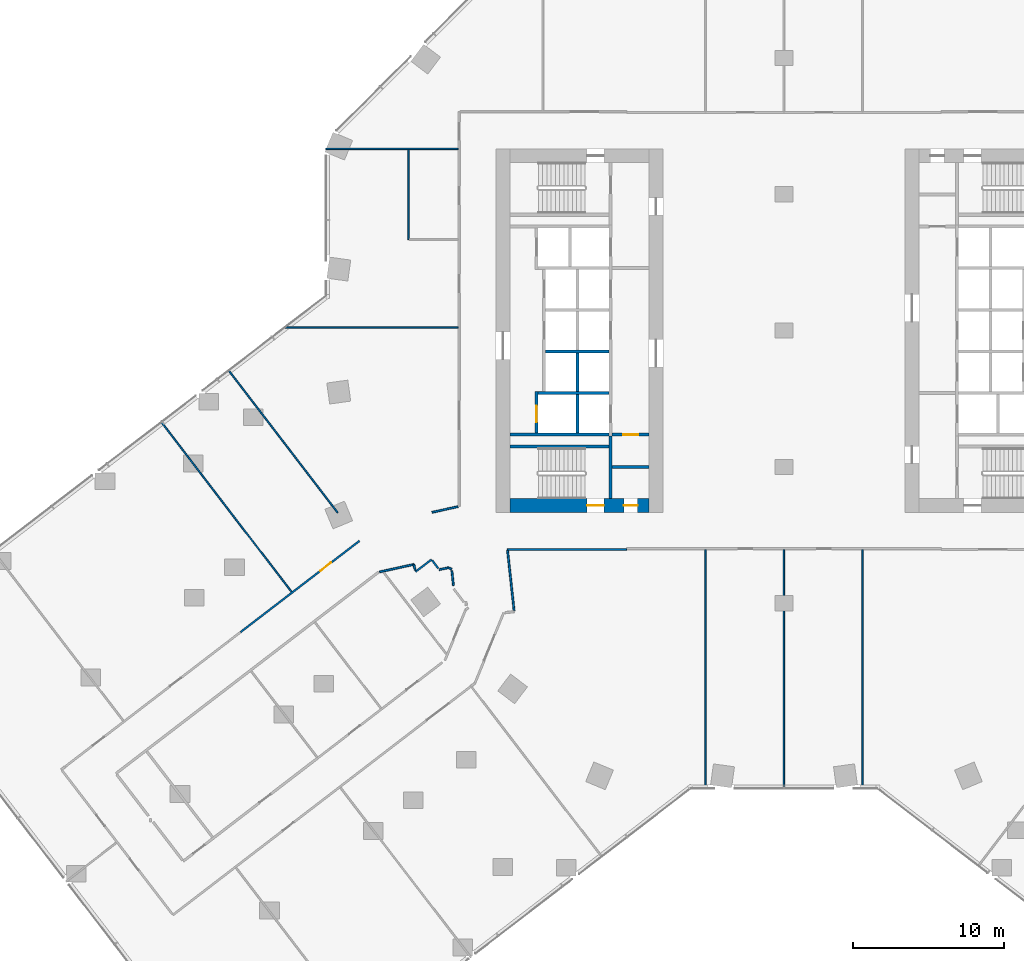
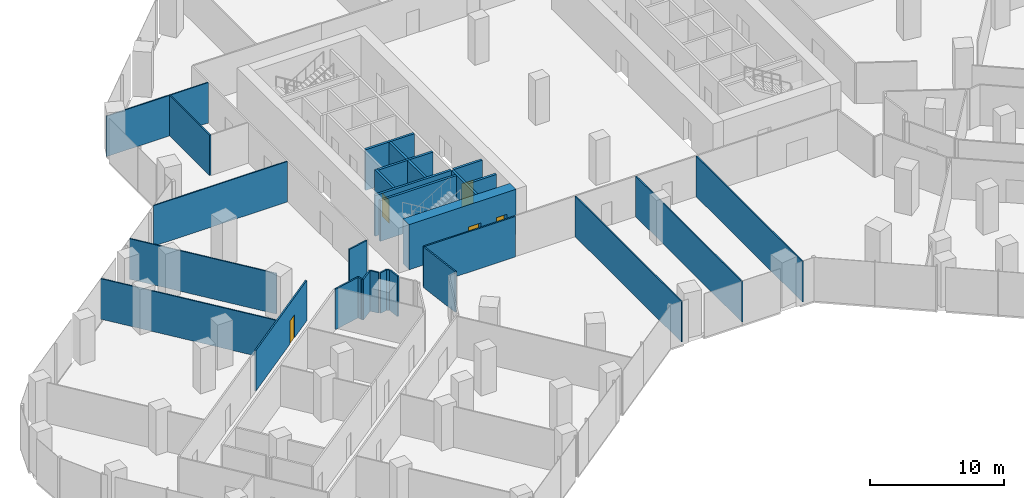
# One storey, part 22 of 29: 30 walls, 5 doors, 5 openings.
"""IFC4 building model written with IfcOpenShell, lengths in metres."""

from ifc_helpers import new_model, si_unit, direction, frame, frame_2d, origin, place, context, subcontext, project, spatial, rectangle, extrude, material, layer, layer_set, type_object, element, fill, save


model = new_model("IFC4")

# Units and contexts
model_context = context("Model", 3, precision=1e-05, world=origin(), true_north=direction((0.0, 1.0)))
body_context = subcontext(model_context, "Body", "Model", "MODEL_VIEW")
ifc_project = project(units=[si_unit("LENGTHUNIT", "METRE"), si_unit("AREAUNIT", "SQUARE_METRE"), si_unit("VOLUMEUNIT", "CUBIC_METRE"), si_unit("PLANEANGLEUNIT", "RADIAN"), si_unit("MASSUNIT", "GRAM", prefix="KILO")], contexts=[model_context])

# Site, building, storey
site_placement = place(None, origin())
site = spatial("IfcSite", under=ifc_project, at=site_placement, CompositionType="ELEMENT")
building_placement = place(site_placement, origin())
building = spatial("IfcBuilding", under=site, at=building_placement, Name="Orlundy Tower", CompositionType="ELEMENT")
storey_placement = place(building_placement, frame((0.0, 0.0, 25.10009765625)))
storey = spatial("IfcBuildingStorey", under=building, at=storey_placement, Name="L04", CompositionType="ELEMENT", Elevation=25.10009765625)

# Wall, openings, doors
ifc_material_1 = material(Name="Concrete C80/95", Category="concrete")
ifc_layer_1 = layer(ifc_material_1, 0.89990234375)
ifc_layer_set_1 = layer_set([ifc_layer_1], Name="CORE WALL 900 C80/95")
wall_type_1 = type_object("IfcWallType", Name="CORE WALL 900 C80/95", PredefinedType="SHEAR", material=ifc_layer_set_1)
wall_1_placement = place(storey_placement, frame((-18.10009765625, -11.550048828125, 0.0), z_axis=(0.0, 0.0, 1.0), x_axis=(1.0, 0.0, 0.0)))
wall_1 = element("IfcWall", 1, at=wall_1_placement, inside=storey, type_object=wall_type_1, Name="Core wall W-S L04", PredefinedType="SHEAR", context=body_context, shape_type="SweptSolid", body=[
    extrude(rectangle(XDim=9.2001953125, YDim=0.89990234375, at=frame_2d((4.60009765625, 0.0))), origin(), (0.0, 0.0, 1.0), 4.099853515625),
])
opening_1_placement = place(wall_1_placement, frame((5.10009765625, 0.0, 0.0)))
opening_1 = element("IfcOpeningElement", 2, at=opening_1_placement, cuts=wall_1, Name="Opening 05013", PredefinedType="OPENING", context=body_context, shape_type="SweptSolid", body=[
    extrude(rectangle(XDim=1.10009765625, YDim=2.10009765625, at=frame_2d((0.550048828125, 1.050048828125))), frame((0.0, 0.4599609375, 0.0), z_axis=(0.0, -1.0, 0.0), x_axis=(1.0, 0.0, 0.0)), (0.0, 0.0, 1.0), 0.919921875),
])
opening_2_placement = place(wall_1_placement, frame((7.530029296875, 0.0, 0.0)))
opening_2 = element("IfcOpeningElement", 3, at=opening_2_placement, cuts=wall_1, Name="Opening 05015", PredefinedType="OPENING", context=body_context, shape_type="SweptSolid", body=[
    extrude(rectangle(XDim=0.89990234375, YDim=2.10009765625, at=frame_2d((0.449951171875, 1.050048828125))), frame((0.0, 0.4599609375, 0.0), z_axis=(0.0, -1.0, 0.0), x_axis=(1.0, 0.0, 0.0)), (0.0, 0.0, 1.0), 0.919921875),
])
ifc_material_2 = material(Name="Timber door set", Category="wood")
door_type_1 = type_object("IfcDoorType", Name="Room Door 900x2100", OperationType="SINGLE_SWING_LEFT", PredefinedType="DOOR", material=ifc_material_2)
door_1_placement = place(opening_2_placement, origin())
door_1 = element("IfcDoor", 4, at=door_1_placement, inside=storey, type_object=door_type_1, Name="Store door 05015", OperationType="SINGLE_SWING_RIGHT", OverallHeight=2.10009765625, OverallWidth=0.89990234375, PredefinedType="DOOR", context=body_context, shape_type="SweptSolid", body=[
    extrude(rectangle(XDim=0.89990234375, YDim=2.10009765625, at=frame_2d((0.449951171875, 1.050048828125))), frame((0.0, 0.02490234375, 0.0), z_axis=(0.0, -1.0, 0.0), x_axis=(1.0, 0.0, 0.0)), (0.0, 0.0, 1.0), 0.050048828125),
])
fill(opening_2, door_1)
ifc_material_3 = material(Name="Steel door set", Category="steel")
door_type_2 = type_object("IfcDoorType", Name="Stair Door 1100x2100", OperationType="SINGLE_SWING_LEFT", PredefinedType="DOOR", material=ifc_material_3)
door_2_placement = place(opening_1_placement, origin())
door_2 = element("IfcDoor", 5, at=door_2_placement, inside=storey, type_object=door_type_2, Name="Stair door 05013", OperationType="SINGLE_SWING_RIGHT", OverallHeight=2.10009765625, OverallWidth=1.10009765625, PredefinedType="DOOR", context=body_context, shape_type="SweptSolid", body=[
    extrude(rectangle(XDim=1.10009765625, YDim=2.10009765625, at=frame_2d((0.550048828125, 1.050048828125))), frame((0.0, 0.02490234375, 0.0), z_axis=(0.0, -1.0, 0.0), x_axis=(1.0, 0.0, 0.0)), (0.0, 0.0, 1.0), 0.050048828125),
])
fill(opening_1, door_2)

# Walls
ifc_material_4 = material(Name="Gypsum board partition")
ifc_layer_2 = layer(ifc_material_4, 0.10009765625)
ifc_layer_set_2 = layer_set([ifc_layer_2], Name="Floor partition 100")
wall_type_2 = type_object("IfcWallType", Name="Floor partition 100", PredefinedType="PARTITIONING", material=ifc_layer_set_2)
wall_2_placement = place(storey_placement, frame((-41.1259765625, -6.032958984375, 0.0), z_axis=(0.0, 0.0, 1.0), x_axis=(0.608775561638, -0.793342495743, 0.0)))
element("IfcWall", 6, at=wall_2_placement, inside=storey, type_object=wall_type_2, Name="wall-int-L04-020", PredefinedType="PARTITIONING", context=body_context, shape_type="SweptSolid", body=[
    extrude(rectangle(XDim=14.136474609375, YDim=0.10009765625, at=frame_2d((7.068359375, 0.0))), origin(), (0.0, 0.0, 1.0), 3.679931640625),
])
wall_3_placement = place(storey_placement, frame((-36.677978515625, -2.6201171875, 0.0), z_axis=(0.0, 0.0, 1.0), x_axis=(0.608767789656, -0.793348459555, 0.0)))
element("IfcWall", 7, at=wall_3_placement, inside=storey, type_object=wall_type_2, Name="wall-int-L04-022", PredefinedType="PARTITIONING", context=body_context, shape_type="SweptSolid", body=[
    extrude(rectangle(XDim=11.842041015625, YDim=0.10009765625, at=frame_2d((5.9208984375, 0.0))), origin(), (0.0, 0.0, 1.0), 3.679931640625),
])
wall_4_placement = place(storey_placement, frame((-33.009033203125, 0.196044921875, 0.0), z_axis=(0.0, 0.0, 1.0), x_axis=(1.0, 0.0, 0.0)))
element("IfcWall", 8, at=wall_4_placement, inside=storey, type_object=wall_type_2, Name="wall-int-L04-042", PredefinedType="PARTITIONING", context=body_context, shape_type="SweptSolid", body=[
    extrude(rectangle(XDim=11.4970703125, YDim=0.10009765625, at=frame_2d((5.74853515625, 0.0))), origin(), (0.0, 0.0, 1.0), 3.679931640625),
])
wall_5_placement = place(storey_placement, frame((-30.25, 12.0, 0.0), z_axis=(0.0, 0.0, 1.0), x_axis=(1.0, 0.0, 0.0)))
element("IfcWall", 9, at=wall_5_placement, inside=storey, type_object=wall_type_2, Name="wall-int-L04-045", PredefinedType="PARTITIONING", context=body_context, shape_type="SweptSolid", body=[
    extrude(rectangle(XDim=8.738037109375, YDim=0.10009765625, at=frame_2d((4.369140625, 0.0))), origin(), (0.0, 0.0, 1.0), 3.679931640625),
])
for number, where, z_axis, x_axis, name in (
    (10, (5.196044921875, -30.25, 0.0), (0.0, 0.0, 1.0), (0.0, 1.0, 0.0), "wall-int-L04-089"),
    (11, (0.0, -30.25, 0.0), (0.0, 0.0, 1.0), (0.0, 1.0, 0.0), "wall-int-L04-091"),
    (12, (-5.195068359375, -30.25, 0.0), (0.0, 0.0, 1.0), (0.0, 1.0, 0.0), "wall-int-L04-093"),
):
    element("IfcWall", number, at=place(storey_placement, frame(where, z_axis=z_axis, x_axis=x_axis)), inside=storey, type_object=wall_type_2, Name=name, PredefinedType="PARTITIONING", context=body_context, shape_type="SweptSolid", body=[
        extrude(rectangle(XDim=15.787109375, YDim=0.10009765625, at=frame_2d((7.8935546875, 0.0))), origin(), (0.0, 0.0, 1.0), 3.679931640625),
    ])
wall_6_placement = place(storey_placement, frame((-24.781982421875, 6.0009765625, 0.0), z_axis=(0.0, 0.0, 1.0), x_axis=(0.0, 1.0, 0.0)))
element("IfcWall", 13, at=wall_6_placement, inside=storey, type_object=wall_type_2, Name="wall-int-L04-097", PredefinedType="PARTITIONING", context=body_context, shape_type="SweptSolid", body=[
    extrude(rectangle(XDim=5.948974609375, YDim=0.10009765625, at=frame_2d((2.974609375, 0.0))), origin(), (0.0, 0.0, 1.0), 3.679931640625),
])
ifc_material_5 = material(Name="Gypsum board partition, double layer")
ifc_layer_3 = layer(ifc_material_5, 0.125)
ifc_layer_set_3 = layer_set([ifc_layer_3], Name="Floor partition 125")
wall_type_3 = type_object("IfcWallType", Name="Floor partition 125", PredefinedType="PARTITIONING", material=ifc_layer_set_3)
wall_7_placement = place(storey_placement, frame((-21.930908203125, -15.864013671875, 0.0), z_axis=(0.0, 0.0, 1.0), x_axis=(0.10837572028, -0.99411000561, 0.0)))
element("IfcWall", 14, at=wall_7_placement, inside=storey, type_object=wall_type_3, Name="wall-int-L04-002", PredefinedType="PARTITIONING", context=body_context, shape_type="SweptSolid", body=[
    extrude(rectangle(XDim=0.977783203125, YDim=0.125, at=frame_2d((0.48876953125, 0.0))), origin(), (0.0, 0.0, 1.0), 3.679931640625),
])
wall_8_placement = place(storey_placement, frame((-18.2548828125, -14.512939453125, 0.0), z_axis=(0.0, 0.0, 1.0), x_axis=(0.108304050005, -0.994117816334, 0.0)))
element("IfcWall", 15, at=wall_8_placement, inside=storey, type_object=wall_type_3, Name="wall-int-L04-003", PredefinedType="PARTITIONING", context=body_context, shape_type="SweptSolid", body=[
    extrude(rectangle(XDim=4.005859375, YDim=0.125, at=frame_2d((2.0029296875, 0.0))), origin(), (0.0, 0.0, 1.0), 3.679931640625),
])
wall_9_placement = place(storey_placement, frame((-24.43798828125, -15.43701171875, 0.0), z_axis=(0.0, 0.0, 1.0), x_axis=(0.212096867325, -0.977248647413, 0.0)))
element("IfcWall", 16, at=wall_9_placement, inside=storey, type_object=wall_type_3, Name="wall-int-L04-006", PredefinedType="PARTITIONING", context=body_context, shape_type="SweptSolid", body=[
    extrude(rectangle(XDim=0.39599609375, YDim=0.125, at=frame_2d((0.197998046875, 0.0))), origin(), (0.0, 0.0, 1.0), 3.679931640625),
])
wall_10_placement = place(storey_placement, frame((-23.23388671875, -15.16796875, 0.0), z_axis=(0.0, 0.0, 1.0), x_axis=(0.602990949897, -0.797748026849, 0.0)))
element("IfcWall", 17, at=wall_10_placement, inside=storey, type_object=wall_type_3, Name="wall-int-L04-010", PredefinedType="PARTITIONING", context=body_context, shape_type="SweptSolid", body=[
    extrude(rectangle(XDim=0.67822265625, YDim=0.125, at=frame_2d((0.339111328125, 0.0))), origin(), (0.0, 0.0, 1.0), 3.679931640625),
])
wall_11_placement = place(storey_placement, frame((-22.169921875, -15.656005859375, 0.0), z_axis=(0.0, 0.0, 1.0), x_axis=(0.914864311429, -0.403761429156, 0.0)))
element("IfcWall", 18, at=wall_11_placement, inside=storey, type_object=wall_type_3, Name="wall-int-L04-037", PredefinedType="PARTITIONING", context=body_context, shape_type="SweptSolid", body=[
    extrude(rectangle(XDim=0.247802734375, YDim=0.125, at=frame_2d((0.1240234375, 0.0))), origin(), (0.0, 0.0, 1.0), 3.679931640625),
])
wall_12_placement = place(storey_placement, frame((-18.261962890625, -14.450927734375, 0.0), z_axis=(0.0, 0.0, 1.0), x_axis=(1.0, 0.0, 0.0)))
element("IfcWall", 19, at=wall_12_placement, inside=storey, type_object=wall_type_3, Name="wall-int-L04-038", PredefinedType="PARTITIONING", context=body_context, shape_type="SweptSolid", body=[
    extrude(rectangle(XDim=7.870849609375, YDim=0.125, at=frame_2d((3.935546875, 0.0))), origin(), (0.0, 0.0, 1.0), 3.679931640625),
])
wall_13_placement = place(storey_placement, frame((-26.7119140625, -15.93603515625, 0.0), z_axis=(0.0, 0.0, 1.0), x_axis=(0.976756126143, 0.214353609817, 0.0)))
element("IfcWall", 20, at=wall_13_placement, inside=storey, type_object=wall_type_3, Name="wall-int-L04-052", PredefinedType="PARTITIONING", context=body_context, shape_type="SweptSolid", body=[
    extrude(rectangle(XDim=2.328125, YDim=0.125, at=frame_2d((1.1640625, 0.0))), origin(), (0.0, 0.0, 1.0), 3.679931640625),
])
wall_14_placement = place(storey_placement, frame((-22.764892578125, -15.787109375, 0.0), z_axis=(0.0, 0.0, 1.0), x_axis=(0.97657209397, 0.215190486033, 0.0)))
element("IfcWall", 21, at=wall_14_placement, inside=storey, type_object=wall_type_3, Name="wall-int-L04-053", PredefinedType="PARTITIONING", context=body_context, shape_type="SweptSolid", body=[
    extrude(rectangle(XDim=0.609130859375, YDim=0.125, at=frame_2d((0.3046875, 0.0))), origin(), (0.0, 0.0, 1.0), 3.679931640625),
])
wall_15_placement = place(storey_placement, frame((-23.241943359375, -12.0, 0.0), z_axis=(0.0, 0.0, 1.0), x_axis=(0.976830155766, 0.214015996568, 0.0)))
element("IfcWall", 22, at=wall_15_placement, inside=storey, type_object=wall_type_3, Name="wall-int-L04-054", PredefinedType="PARTITIONING", context=body_context, shape_type="SweptSolid", body=[
    extrude(rectangle(XDim=1.7568359375, YDim=0.125, at=frame_2d((0.87841796875, 0.0))), origin(), (0.0, 0.0, 1.0), 3.679931640625),
])
wall_16_placement = place(storey_placement, frame((-24.33203125, -15.919921875, 0.0), z_axis=(0.0, 0.0, 1.0), x_axis=(0.797480426333, 0.603344818172, 0.0)))
element("IfcWall", 23, at=wall_16_placement, inside=storey, type_object=wall_type_3, Name="wall-int-L04-056", PredefinedType="PARTITIONING", context=body_context, shape_type="SweptSolid", body=[
    extrude(rectangle(XDim=1.329345703125, YDim=0.125, at=frame_2d((0.66455078125, 0.0))), origin(), (0.0, 0.0, 1.0), 3.679931640625),
])

# Wall, opening, door
wall_17_placement = place(storey_placement, frame((-35.881103515625, -19.906005859375, 0.0), z_axis=(0.0, 0.0, 1.0), x_axis=(0.793491146474, 0.608581794394, 0.0)))
wall_17 = element("IfcWall", 24, at=wall_17_placement, inside=storey, type_object=wall_type_3, Name="wall-int-L04-069", PredefinedType="PARTITIONING", context=body_context, shape_type="SweptSolid", body=[
    extrude(rectangle(XDim=9.891845703125, YDim=0.125, at=frame_2d((4.94580078125, 0.0))), origin(), (0.0, 0.0, 1.0), 3.679931640625),
])
opening_3_placement = place(wall_17_placement, frame((6.63427734375, 0.0, 0.0)))
opening_3 = element("IfcOpeningElement", 25, at=opening_3_placement, cuts=wall_17, Name="Opening 05120", PredefinedType="OPENING", context=body_context, shape_type="SweptSolid", body=[
    extrude(rectangle(XDim=0.89990234375, YDim=2.10009765625, at=frame_2d((0.449951171875, 1.050048828125))), frame((0.0, 0.072509765625, 0.0), z_axis=(0.0, -1.0, 0.0), x_axis=(1.0, 0.0, 0.0)), (0.0, 0.0, 1.0), 0.14501953125),
])
ifc_material_6 = material(Name="Timber door leaf", Category="wood")
door_type_3 = type_object("IfcDoorType", Name="Floor door single 900 FD30S", OperationType="NOTDEFINED", PredefinedType="DOOR", material=ifc_material_6)
door_3_placement = place(opening_3_placement, origin())
door_3 = element("IfcDoor", 26, at=door_3_placement, inside=storey, type_object=door_type_3, Name="Door 05120", OperationType="SINGLE_SWING_RIGHT", OverallHeight=2.10009765625, OverallWidth=0.89990234375, PredefinedType="DOOR", context=body_context, shape_type="SweptSolid", body=[
    extrude(rectangle(XDim=0.89990234375, YDim=2.10009765625, at=frame_2d((0.449951171875, 1.050048828125))), frame((0.0, 0.02490234375, 0.0), z_axis=(0.0, -1.0, 0.0), x_axis=(1.0, 0.0, 0.0)), (0.0, 0.0, 1.0), 0.050048828125),
])
fill(opening_3, door_3)

# Walls
ifc_material_7 = material(Name="Concrete C40/50", Category="concrete")
ifc_layer_4 = layer(ifc_material_7, 0.199951171875)
ifc_layer_set_4 = layer_set([ifc_layer_4], Name="Load-bearing Shaft Wall 200")
wall_type_4 = type_object("IfcWallType", Name="Load-bearing Shaft Wall 200", PredefinedType="SOLIDWALL", material=ifc_layer_set_4)
wall_18_placement = place(storey_placement, frame((-11.43994140625, -11.10009765625, 0.0), z_axis=(0.0, 0.0, 1.0), x_axis=(0.0, 1.0, 0.0)))
element("IfcWall", 27, at=wall_18_placement, inside=storey, type_object=wall_type_4, Name="Shaft wall W05-stair-end-s", PredefinedType="SOLIDWALL", context=body_context, shape_type="SweptSolid", body=[
    extrude(rectangle(XDim=4.125, YDim=0.199951171875, at=frame_2d((2.0625, 0.0))), origin(), (0.0, 0.0, 1.0), 3.68994140625),
])
wall_19_placement = place(storey_placement, frame((-11.5400390625, -7.64990234375, 0.0), z_axis=(0.0, 0.0, 1.0), x_axis=(-1.0, 0.0, 0.0)))
element("IfcWall", 28, at=wall_19_placement, inside=storey, type_object=wall_type_4, Name="Shaft wall W05-stair-side-s", PredefinedType="SOLIDWALL", context=body_context, shape_type="SweptSolid", body=[
    extrude(rectangle(XDim=6.56005859375, YDim=0.199951171875, at=frame_2d((3.280029296875, 0.0))), origin(), (0.0, 0.0, 1.0), 3.68994140625),
])

# Wall, opening, door
ifc_material_8 = material(Name="Gypsum board partition on steel studs", Category="steel")
ifc_layer_5 = layer(ifc_material_8, 0.199951171875)
ifc_layer_set_5 = layer_set([ifc_layer_5], Name="Partition 200")
wall_type_5 = type_object("IfcWallType", Name="Partition 200", PredefinedType="PARTITIONING", material=ifc_layer_set_5)
wall_20_placement = place(storey_placement, frame((-8.89990234375, -6.875, 0.0), z_axis=(0.0, 0.0, 1.0), x_axis=(-1.0, 0.0, 0.0)))
wall_20 = element("IfcWall", 29, at=wall_20_placement, inside=storey, type_object=wall_type_5, Name="Partition wall W05-end-s", PredefinedType="PARTITIONING", context=body_context, shape_type="SweptSolid", body=[
    extrude(rectangle(XDim=2.440185546875, YDim=0.199951171875, at=frame_2d((1.22021484375, 0.0))), origin(), (0.0, 0.0, 1.0), 3.68994140625),
])
opening_4_placement = place(wall_20_placement, frame((0.719970703125, 0.0, 0.0)))
opening_4 = element("IfcOpeningElement", 30, at=opening_4_placement, cuts=wall_20, Name="Opening 05016", PredefinedType="OPENING", context=body_context, shape_type="SweptSolid", body=[
    extrude(rectangle(XDim=1.0, YDim=2.10009765625, at=frame_2d((0.5, 1.050048828125))), frame((0.0, 0.110107421875, 0.0), z_axis=(0.0, -1.0, 0.0), x_axis=(1.0, 0.0, 0.0)), (0.0, 0.0, 1.0), 0.22021484375),
])
ifc_material_9 = material(Name="Timber door set", Category="wood")
door_type_4 = type_object("IfcDoorType", Name="Accessible Door 1000x2100", OperationType="SINGLE_SWING_LEFT", PredefinedType="DOOR", material=ifc_material_9)
door_4_placement = place(opening_4_placement, origin())
door_4 = element("IfcDoor", 31, at=door_4_placement, inside=storey, type_object=door_type_4, Name="Accessible WC door 05016", OperationType="SINGLE_SWING_RIGHT", OverallHeight=2.10009765625, OverallWidth=1.0, PredefinedType="DOOR", context=body_context, shape_type="SweptSolid", body=[
    extrude(rectangle(XDim=1.0, YDim=2.10009765625, at=frame_2d((0.5, 1.050048828125))), frame((0.0, 0.02490234375, 0.0), z_axis=(0.0, -1.0, 0.0), x_axis=(1.0, 0.0, 0.0)), (0.0, 0.0, 1.0), 0.050048828125),
])
fill(opening_4, door_4)

# Walls
wall_21_placement = place(storey_placement, frame((-8.89990234375, -9.0, 0.0), z_axis=(0.0, 0.0, 1.0), x_axis=(-1.0, 0.0, 0.0)))
element("IfcWall", 32, at=wall_21_placement, inside=storey, type_object=wall_type_5, Name="Partition wall W05-room-s0", PredefinedType="PARTITIONING", context=body_context, shape_type="SweptSolid", body=[
    extrude(rectangle(XDim=2.440185546875, YDim=0.199951171875, at=frame_2d((1.22021484375, 0.0))), origin(), (0.0, 0.0, 1.0), 3.68994140625),
])
ifc_material_10 = material(Name="Fire-rated blockwork shaft wall", Category="masonry")
ifc_layer_6 = layer(ifc_material_10, 0.199951171875)
ifc_layer_set_6 = layer_set([ifc_layer_6], Name="Shaft Wall 200")
wall_type_6 = type_object("IfcWallType", Name="Shaft Wall 200", PredefinedType="SOLIDWALL", material=ifc_layer_set_6)
wall_22_placement = place(storey_placement, frame((-11.5400390625, -6.875, 0.0), z_axis=(0.0, 0.0, 1.0), x_axis=(-1.0, 0.0, 0.0)))
element("IfcWall", 33, at=wall_22_placement, inside=storey, type_object=wall_type_6, Name="Shaft wall W05-zone-s", PredefinedType="SOLIDWALL", context=body_context, shape_type="SweptSolid", body=[
    extrude(rectangle(XDim=6.56005859375, YDim=0.199951171875, at=frame_2d((3.280029296875, 0.0))), origin(), (0.0, 0.0, 1.0), 3.68994140625),
])
wall_23_placement = place(storey_placement, frame((-11.5400390625, -4.125, 0.0), z_axis=(0.0, 0.0, 1.0), x_axis=(-1.0, 0.0, 0.0)))
element("IfcWall", 34, at=wall_23_placement, inside=storey, type_object=wall_type_6, Name="Shaft wall W05-cross-4.125", PredefinedType="SOLIDWALL", context=body_context, shape_type="SweptSolid", body=[
    extrude(rectangle(XDim=4.699951171875, YDim=0.199951171875, at=frame_2d((2.35009765625, 0.0))), origin(), (0.0, 0.0, 1.0), 3.68994140625),
])
wall_24_placement = place(storey_placement, frame((-11.5400390625, -1.375, 0.0), z_axis=(0.0, 0.0, 1.0), x_axis=(-1.0, 0.0, 0.0)))
element("IfcWall", 35, at=wall_24_placement, inside=storey, type_object=wall_type_6, Name="Shaft wall W05-cross-1.375", PredefinedType="SOLIDWALL", context=body_context, shape_type="SweptSolid", body=[
    extrude(rectangle(XDim=4.199951171875, YDim=0.199951171875, at=frame_2d((2.10009765625, 0.0))), origin(), (0.0, 0.0, 1.0), 3.68994140625),
])
for number, where, z_axis, x_axis, name in (
    (36, (-13.639892578125, -6.77490234375, 0.0), (0.0, 0.0, 1.0), (0.0, 1.0, 0.0), "Shaft wall W05-mid-a"),
    (37, (-13.639892578125, -4.02490234375, 0.0), (0.0, 0.0, 1.0), (0.0, 1.0, 0.0), "Shaft wall W05-mid-a.1"),
):
    element("IfcWall", number, at=place(storey_placement, frame(where, z_axis=z_axis, x_axis=x_axis)), inside=storey, type_object=wall_type_6, Name=name, PredefinedType="SOLIDWALL", context=body_context, shape_type="SweptSolid", body=[
        extrude(rectangle(XDim=2.5498046875, YDim=0.199951171875, at=frame_2d((1.27490234375, 0.0))), origin(), (0.0, 0.0, 1.0), 3.68994140625),
    ])

# Wall, opening, door
wall_25_placement = place(storey_placement, frame((-16.340087890625, -6.77490234375, 0.0), z_axis=(0.0, 0.0, 1.0), x_axis=(0.0, 1.0, 0.0)))
wall_25 = element("IfcWall", 38, at=wall_25_placement, inside=storey, type_object=wall_type_6, Name="Shaft wall W05-front-o-a", PredefinedType="SOLIDWALL", context=body_context, shape_type="SweptSolid", body=[
    extrude(rectangle(XDim=2.75, YDim=0.199951171875, at=frame_2d((1.375, 0.0))), origin(), (0.0, 0.0, 1.0), 3.68994140625),
])
opening_5_placement = place(wall_25_placement, frame((0.72509765625, 0.0, 0.0)))
opening_5 = element("IfcOpeningElement", 39, at=opening_5_placement, cuts=wall_25, Name="Opening 05002", PredefinedType="OPENING", context=body_context, shape_type="SweptSolid", body=[
    extrude(rectangle(XDim=1.10009765625, YDim=2.10009765625, at=frame_2d((0.550048828125, 1.050048828125))), frame((0.0, 0.110107421875, 0.0), z_axis=(0.0, -1.0, 0.0), x_axis=(1.0, 0.0, 0.0)), (0.0, 0.0, 1.0), 0.22021484375),
])
ifc_material_11 = material(Name="Steel door set", Category="steel")
door_type_5 = type_object("IfcDoorType", Name="Landing Door 1100x2100", OperationType="DOUBLE_DOOR_SLIDING", PredefinedType="DOOR", material=ifc_material_11)
door_5_placement = place(opening_5_placement, origin())
door_5 = element("IfcDoor", 40, at=door_5_placement, inside=storey, type_object=door_type_5, Name="Lift landing door LV-01 05002", OperationType="DOUBLE_DOOR_SLIDING", OverallHeight=2.10009765625, OverallWidth=1.10009765625, PredefinedType="DOOR", context=body_context, shape_type="SweptSolid", body=[
    extrude(rectangle(XDim=1.10009765625, YDim=2.10009765625, at=frame_2d((0.550048828125, 1.050048828125))), frame((0.0, 0.02490234375, 0.0), z_axis=(0.0, -1.0, 0.0), x_axis=(1.0, 0.0, 0.0)), (0.0, 0.0, 1.0), 0.050048828125),
])
fill(opening_5, door_5)

save(model, "model.ifc")
